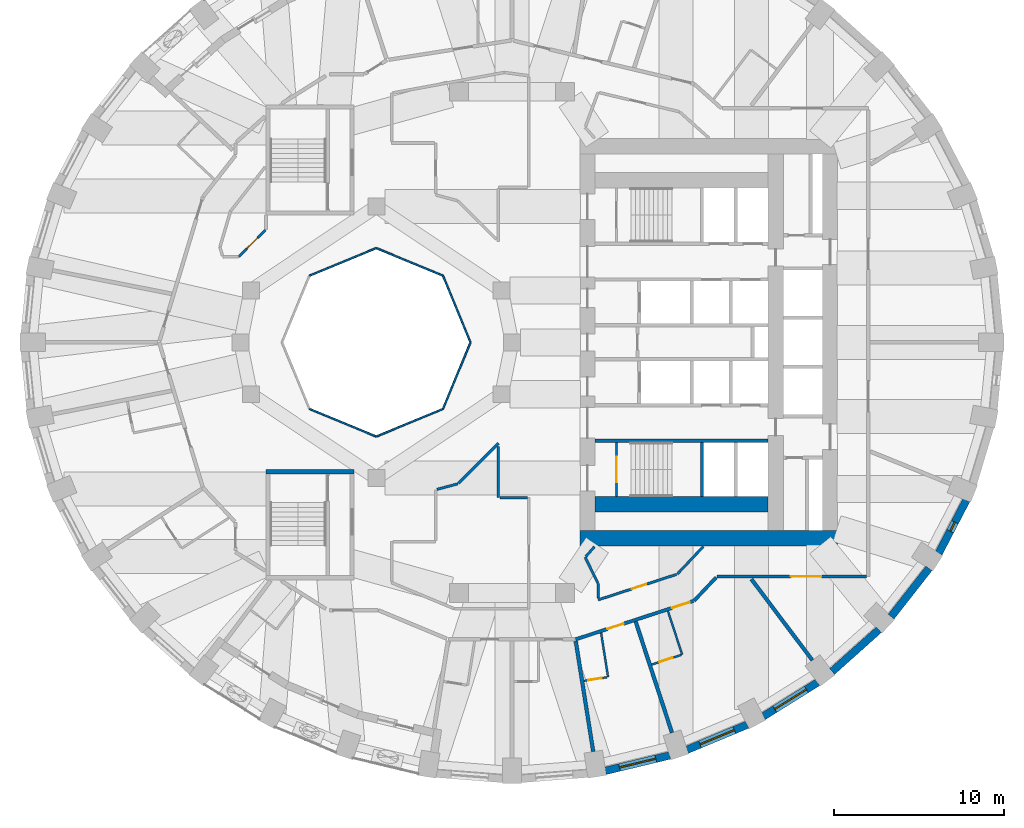
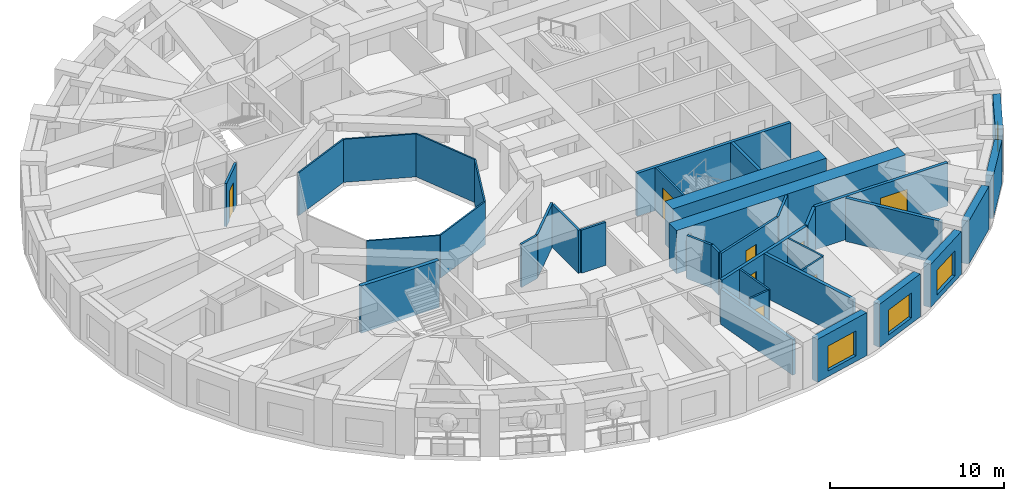
# One storey, part 5 of 13: 38 walls, 8 doors, 4 windows, 12 openings.
"""IFC4 building model written with IfcOpenShell, lengths in metres."""

from ifc_helpers import new_model, si_unit, direction, frame, frame_2d, origin, place, context, subcontext, project, spatial, rectangle, extrude, material, layer, layer_set, type_object, element, fill, save


model = new_model("IFC4")

# Units and contexts
model_context = context("Model", 3, precision=1e-05, world=origin(), true_north=direction((0.0, 1.0)))
body_context = subcontext(model_context, "Body", "Model", "MODEL_VIEW")
ifc_project = project(units=[si_unit("LENGTHUNIT", "METRE"), si_unit("AREAUNIT", "SQUARE_METRE"), si_unit("VOLUMEUNIT", "CUBIC_METRE"), si_unit("PLANEANGLEUNIT", "RADIAN"), si_unit("MASSUNIT", "GRAM", prefix="KILO")], contexts=[model_context])

# Site, building, storey
site_placement = place(None, origin())
site = spatial("IfcSite", under=ifc_project, at=site_placement, CompositionType="ELEMENT")
building_placement = place(site_placement, origin())
building = spatial("IfcBuilding", under=site, at=building_placement, Name="Taillehof Tower", CompositionType="ELEMENT")
storey_placement = place(building_placement, frame((0.0, 0.0, 44.800048828125)))
storey = spatial("IfcBuildingStorey", under=building, at=storey_placement, Name="L11", CompositionType="ELEMENT", Elevation=44.800048828125)

# Walls
ifc_material_1 = material(Name="Fire-resisting glass in steel frame", Category="steel")
ifc_layer_1 = layer(ifc_material_1, 0.10009765625)
ifc_layer_set_1 = layer_set([ifc_layer_1], Name="Atrium fire-resisting screen EI 60 100")
wall_type_1 = type_object("IfcWallType", Name="Atrium fire-resisting screen EI 60 100", PredefinedType="PARTITIONING", material=ifc_layer_set_1)
for number, where, z_axis, x_axis, name in (
    (1, (-2.44580078125, 0.0, 0.0), (0.0, 0.0, 1.0), (-0.382730523909, -0.923860025149, 0.0), "Atrium screen"),
    (2, (-4.07275390625, -3.92724609375, 0.0), (0.0, 0.0, 1.0), (-0.923860025149, -0.382730523909, 0.0), "Atrium screen"),
    (3, (-8.0, -5.55419921875, 0.0), (0.0, 0.0, 1.0), (-0.923860025149, 0.382730523909, 0.0), "Atrium screen"),
    (4, (-11.92724609375, 3.92724609375, 0.0), (0.0, 0.0, 1.0), (0.923860025149, 0.382730523909, 0.0), "Atrium screen"),
    (5, (-8.0, 5.55419921875, 0.0), (0.0, 0.0, 1.0), (0.923860025149, -0.382730523909, 0.0), "Atrium screen"),
    (6, (-4.07275390625, 3.92724609375, 0.0), (0.0, 0.0, 1.0), (0.382730523909, -0.923860025149, 0.0), "Atrium screen"),
):
    element("IfcWall", number, at=place(storey_placement, frame(where, z_axis=z_axis, x_axis=x_axis)), inside=storey, type_object=wall_type_1, Name=name, PredefinedType="PARTITIONING", context=body_context, shape_type="SweptSolid", body=[
        extrude(rectangle(XDim=4.2509765625, YDim=0.10009765625, at=frame_2d((2.12548828125, 0.0))), origin(), (0.0, 0.0, 1.0), 3.02001953125),
    ])

# Wall, opening, window
ifc_material_2 = material(Name="Brick masonry", Category="masonry")
ifc_layer_2 = layer(ifc_material_2, 0.449951171875)
ifc_layer_set_2 = layer_set([ifc_layer_2], Name="Brick infill wall 450")
wall_type_2 = type_object("IfcWallType", Name="Brick infill wall 450", PredefinedType="SOLIDWALL", material=ifc_layer_set_2)
wall_1_placement = place(storey_placement, frame((5.50439453125, -25.260498046875, 0.0), z_axis=(0.0, 0.0, 1.0), x_axis=(0.972496561493, 0.232917233979, 0.0)))
wall_1 = element("IfcWall", 7, at=wall_1_placement, inside=storey, type_object=wall_type_2, Name="Brick wall L11 bay 29", PredefinedType="SOLIDWALL", context=body_context, shape_type="SweptSolid", body=[
    extrude(rectangle(XDim=3.910888671875, YDim=0.449951171875, at=frame_2d((1.95556640625, 0.0))), origin(), (0.0, 0.0, 1.0), 3.02001953125),
])
opening_1_placement = place(wall_1_placement, frame((0.855224609375, 0.0, 0.39990234375)))
opening_1 = element("IfcOpeningElement", 8, at=opening_1_placement, cuts=wall_1, Name="Opening W1", PredefinedType="OPENING", context=body_context, shape_type="SweptSolid", body=[
    extrude(rectangle(XDim=2.199951171875, YDim=1.75, at=frame_2d((1.10009765625, 0.875))), frame((0.0, 0.23486328125, 0.0), z_axis=(0.0, -1.0, 0.0), x_axis=(1.0, 0.0, 0.0)), (0.0, 0.0, 1.0), 0.469970703125),
])
ifc_material_3 = material(Name="Aluminium window frame with clear double glazing", Category="aluminium")
window_type_1 = type_object("IfcWindowType", Name="Deep-set window 2200x1750", PartitioningType="SINGLE_PANEL", PredefinedType="WINDOW", material=ifc_material_3)
window_1_placement = place(opening_1_placement, origin())
window_1 = element("IfcWindow", 9, at=window_1_placement, inside=storey, type_object=window_type_1, Name="W1", OverallHeight=1.75, OverallWidth=2.199951171875, PartitioningType="SINGLE_PANEL", PredefinedType="WINDOW", context=body_context, shape_type="SweptSolid", body=[
    extrude(rectangle(XDim=2.199951171875, YDim=1.75, at=frame_2d((1.10009765625, 0.875))), frame((0.0, 0.034912109375, 0.0), z_axis=(0.0, -1.0, 0.0), x_axis=(1.0, 0.0, 0.0)), (0.0, 0.0, 1.0), 0.06005859375),
])
fill(opening_1, window_1)

wall_2_placement = place(storey_placement, frame((10.3154296875, -24.02099609375, 0.0), z_axis=(0.0, 0.0, 1.0), x_axis=(0.923031964282, 0.384723267966, 0.0)))
wall_2 = element("IfcWall", 10, at=wall_2_placement, inside=storey, type_object=wall_type_2, Name="Brick wall L11 bay 30", PredefinedType="SOLIDWALL", context=body_context, shape_type="SweptSolid", body=[
    extrude(rectangle(XDim=3.8564453125, YDim=0.449951171875, at=frame_2d((1.92822265625, 0.0))), origin(), (0.0, 0.0, 1.0), 3.02001953125),
])
opening_2_placement = place(wall_2_placement, frame((0.828125, 0.0, 0.39990234375)))
opening_2 = element("IfcOpeningElement", 11, at=opening_2_placement, cuts=wall_2, Name="Opening W1", PredefinedType="OPENING", context=body_context, shape_type="SweptSolid", body=[
    extrude(rectangle(XDim=2.199951171875, YDim=1.75, at=frame_2d((1.10009765625, 0.875))), frame((0.0, 0.23486328125, 0.0), z_axis=(0.0, -1.0, 0.0), x_axis=(1.0, 0.0, 0.0)), (0.0, 0.0, 1.0), 0.469970703125),
])
window_2_placement = place(opening_2_placement, origin())
window_2 = element("IfcWindow", 12, at=window_2_placement, inside=storey, type_object=window_type_1, Name="W1", OverallHeight=1.75, OverallWidth=2.199951171875, PartitioningType="SINGLE_PANEL", PredefinedType="WINDOW", context=body_context, shape_type="SweptSolid", body=[
    extrude(rectangle(XDim=2.199951171875, YDim=1.75, at=frame_2d((1.10009765625, 0.875))), frame((0.0, 0.034912109375, 0.0), z_axis=(0.0, -1.0, 0.0), x_axis=(1.0, 0.0, 0.0)), (0.0, 0.0, 1.0), 0.06005859375),
])
fill(opening_2, window_2)

wall_3_placement = place(storey_placement, frame((14.81689453125, -22.050537109375, 0.0), z_axis=(0.0, 0.0, 1.0), x_axis=(0.847635480093, 0.530579016629, 0.0)))
wall_3 = element("IfcWall", 13, at=wall_3_placement, inside=storey, type_object=wall_type_2, Name="Brick wall L11 bay 31", PredefinedType="SOLIDWALL", context=body_context, shape_type="SweptSolid", body=[
    extrude(rectangle(XDim=3.782470703125, YDim=0.449951171875, at=frame_2d((1.89111328125, 0.0))), origin(), (0.0, 0.0, 1.0), 3.02001953125),
])
opening_3_placement = place(wall_3_placement, frame((0.791259765625, 0.0, 0.39990234375)))
opening_3 = element("IfcOpeningElement", 14, at=opening_3_placement, cuts=wall_3, Name="Opening W1", PredefinedType="OPENING", context=body_context, shape_type="SweptSolid", body=[
    extrude(rectangle(XDim=2.199951171875, YDim=1.75, at=frame_2d((1.10009765625, 0.875))), frame((0.0, 0.23486328125, 0.0), z_axis=(0.0, -1.0, 0.0), x_axis=(1.0, 0.0, 0.0)), (0.0, 0.0, 1.0), 0.469970703125),
])
window_3_placement = place(opening_3_placement, origin())
window_3 = element("IfcWindow", 15, at=window_3_placement, inside=storey, type_object=window_type_1, Name="W1", OverallHeight=1.75, OverallWidth=2.199951171875, PartitioningType="SINGLE_PANEL", PredefinedType="WINDOW", context=body_context, shape_type="SweptSolid", body=[
    extrude(rectangle(XDim=2.199951171875, YDim=1.75, at=frame_2d((1.10009765625, 0.875))), frame((0.0, 0.034912109375, 0.0), z_axis=(0.0, -1.0, 0.0), x_axis=(1.0, 0.0, 0.0)), (0.0, 0.0, 1.0), 0.06005859375),
])
fill(opening_3, window_3)

# Walls
wall_4_placement = place(storey_placement, frame((18.87060546875, -19.406982421875, 0.0), z_axis=(0.0, 0.0, 1.0), x_axis=(0.745526233716, 0.66647628228, 0.0)))
element("IfcWall", 16, at=wall_4_placement, inside=storey, type_object=wall_type_2, Name="Brick wall L11 bay 32", PredefinedType="SOLIDWALL", context=body_context, shape_type="SweptSolid", body=[
    extrude(rectangle(XDim=3.69677734375, YDim=0.449951171875, at=frame_2d((1.848388671875, 0.0))), origin(), (0.0, 0.0, 1.0), 3.02001953125),
])
wall_5_placement = place(storey_placement, frame((22.3515625, -16.169677734375, 0.0), z_axis=(0.0, 0.0, 1.0), x_axis=(0.616661975264, 0.787228053529, 0.0)))
element("IfcWall", 17, at=wall_5_placement, inside=storey, type_object=wall_type_2, Name="Brick wall L11 bay 33", PredefinedType="SOLIDWALL", context=body_context, shape_type="SweptSolid", body=[
    extrude(rectangle(XDim=3.60986328125, YDim=0.449951171875, at=frame_2d((1.804931640625, 0.0))), origin(), (0.0, 0.0, 1.0), 3.02001953125),
])

# Wall, opening, window
wall_6_placement = place(storey_placement, frame((25.152099609375, -12.436767578125, 0.0), z_axis=(0.0, 0.0, 1.0), x_axis=(0.462492775226, 0.886623050041, 0.0)))
wall_6 = element("IfcWall", 18, at=wall_6_placement, inside=storey, type_object=wall_type_2, Name="Brick wall L11 bay 34", PredefinedType="SOLIDWALL", context=body_context, shape_type="SweptSolid", body=[
    extrude(rectangle(XDim=3.531982421875, YDim=0.449951171875, at=frame_2d((1.76611328125, 0.0))), origin(), (0.0, 0.0, 1.0), 3.02001953125),
])
opening_4_placement = place(wall_6_placement, frame((1.466064453125, 0.0, 0.39990234375)))
opening_4 = element("IfcOpeningElement", 19, at=opening_4_placement, cuts=wall_6, Name="Opening W6", PredefinedType="OPENING", context=body_context, shape_type="SweptSolid", body=[
    extrude(rectangle(XDim=0.60009765625, YDim=1.75, at=frame_2d((0.300048828125, 0.875))), frame((0.0, 0.23486328125, 0.0), z_axis=(0.0, -1.0, 0.0), x_axis=(1.0, 0.0, 0.0)), (0.0, 0.0, 1.0), 0.469970703125),
])
ifc_material_4 = material(Name="Aluminium window frame with clear double glazing", Category="aluminium")
window_type_2 = type_object("IfcWindowType", Name="Slot window 600x1750", PartitioningType="SINGLE_PANEL", PredefinedType="WINDOW", material=ifc_material_4)
window_4_placement = place(opening_4_placement, origin())
window_4 = element("IfcWindow", 20, at=window_4_placement, inside=storey, type_object=window_type_2, Name="W6", OverallHeight=1.75, OverallWidth=0.60009765625, PartitioningType="SINGLE_PANEL", PredefinedType="WINDOW", context=body_context, shape_type="SweptSolid", body=[
    extrude(rectangle(XDim=0.60009765625, YDim=1.75, at=frame_2d((0.300048828125, 0.875))), frame((0.0, 0.034912109375, 0.0), z_axis=(0.0, -1.0, 0.0), x_axis=(1.0, 0.0, 0.0)), (0.0, 0.0, 1.0), 0.06005859375),
])
fill(opening_4, window_4)

# Wall, opening, door
ifc_material_5 = material(Name="Gypsum board on steel studs, two layers each side", Category="steel")
ifc_layer_3 = layer(ifc_material_5, 0.199951171875)
ifc_layer_set_3 = layer_set([ifc_layer_3], Name="Compartment wall corridor 200")
wall_type_3 = type_object("IfcWallType", Name="Compartment wall corridor 200", PredefinedType="PARTITIONING", material=ifc_layer_set_3)
wall_7_placement = place(storey_placement, frame((20.89990234375, -13.800048828125, 0.0), z_axis=(0.0, 0.0, 1.0), x_axis=(-1.0, 0.0, 0.0)))
wall_7 = element("IfcWall", 21, at=wall_7_placement, inside=storey, type_object=wall_type_3, Name="Compartment wall", PredefinedType="PARTITIONING", context=body_context, shape_type="SweptSolid", body=[
    extrude(rectangle(XDim=8.8115234375, YDim=0.199951171875, at=frame_2d((4.40576171875, 0.0))), origin(), (0.0, 0.0, 1.0), 3.02001953125),
])
opening_5_placement = place(wall_7_placement, frame((2.66357421875, 0.0, 0.0)))
opening_5 = element("IfcOpeningElement", 22, at=opening_5_placement, cuts=wall_7, Name="Opening D1166", PredefinedType="OPENING", context=body_context, shape_type="SweptSolid", body=[
    extrude(rectangle(XDim=1.800048828125, YDim=2.10009765625, at=frame_2d((0.89990234375, 1.050048828125))), frame((0.0, 0.10986328125, 0.0), z_axis=(0.0, -1.0, 0.0), x_axis=(1.0, 0.0, 0.0)), (0.0, 0.0, 1.0), 0.219970703125),
])
ifc_material_6 = material(Name="Timber door leaf in steel frame", Category="steel")
door_type_1 = type_object("IfcDoorType", Name="Lounge and meeting room double door EI 30 1800 x 2100", OperationType="SINGLE_SWING_LEFT", PredefinedType="DOOR", material=ifc_material_6)
door_1_placement = place(opening_5_placement, origin())
door_1 = element("IfcDoor", 23, at=door_1_placement, inside=storey, type_object=door_type_1, Name="D1166", OperationType="DOUBLE_DOOR_SINGLE_SWING", OverallHeight=2.10009765625, OverallWidth=1.800048828125, PredefinedType="DOOR", context=body_context, shape_type="SweptSolid", body=[
    extrude(rectangle(XDim=1.800048828125, YDim=2.10009765625, at=frame_2d((0.89990234375, 1.050048828125))), frame((0.0, 0.02490234375, 0.0), z_axis=(0.0, -1.0, 0.0), x_axis=(1.0, 0.0, 0.0)), (0.0, 0.0, 1.0), 0.050048828125),
])
fill(opening_5, door_1)

# Wall
wall_8_placement = place(storey_placement, frame((12.03369140625, -13.857666015625, 0.0), z_axis=(0.0, 0.0, 1.0), x_axis=(-0.687458821662, -0.726223359938, 0.0)))
element("IfcWall", 24, at=wall_8_placement, inside=storey, type_object=wall_type_3, Name="Compartment wall", PredefinedType="PARTITIONING", context=body_context, shape_type="SweptSolid", body=[
    extrude(rectangle(XDim=1.895751953125, YDim=0.199951171875, at=frame_2d((0.94775390625, 0.0))), origin(), (0.0, 0.0, 1.0), 3.02001953125),
])

# Wall, openings, doors
wall_9_placement = place(storey_placement, frame((10.6923828125, -15.24658203125, 0.0), z_axis=(0.0, 0.0, 1.0), x_axis=(-0.950852414815, -0.309644449718, 0.0)))
wall_9 = element("IfcWall", 25, at=wall_9_placement, inside=storey, type_object=wall_type_3, Name="Compartment wall", PredefinedType="PARTITIONING", context=body_context, shape_type="SweptSolid", body=[
    extrude(rectangle(XDim=7.295654296875, YDim=0.199951171875, at=frame_2d((3.64794921875, 0.0))), origin(), (0.0, 0.0, 1.0), 3.02001953125),
])
opening_6_placement = place(wall_9_placement, frame((4.326904296875, 0.0, 0.0)))
opening_6 = element("IfcOpeningElement", 26, at=opening_6_placement, cuts=wall_9, Name="Opening D1162", PredefinedType="OPENING", context=body_context, shape_type="SweptSolid", body=[
    extrude(rectangle(XDim=1.0, YDim=2.10009765625, at=frame_2d((0.5, 1.050048828125))), frame((0.0, 0.10986328125, 0.0), z_axis=(0.0, -1.0, 0.0), x_axis=(1.0, 0.0, 0.0)), (0.0, 0.0, 1.0), 0.219970703125),
])
opening_7_placement = place(wall_9_placement, frame((0.219970703125, 0.0, 0.0)))
opening_7 = element("IfcOpeningElement", 27, at=opening_7_placement, cuts=wall_9, Name="Opening D1164", PredefinedType="OPENING", context=body_context, shape_type="SweptSolid", body=[
    extrude(rectangle(XDim=1.10009765625, YDim=2.10009765625, at=frame_2d((0.550048828125, 1.050048828125))), frame((0.0, 0.10986328125, 0.0), z_axis=(0.0, -1.0, 0.0), x_axis=(1.0, 0.0, 0.0)), (0.0, 0.0, 1.0), 0.219970703125),
])
ifc_material_7 = material(Name="Timber door leaf in steel frame", Category="steel")
door_type_2 = type_object("IfcDoorType", Name="Guest room door EI 30 1000 x 2100", OperationType="SINGLE_SWING_LEFT", PredefinedType="DOOR", material=ifc_material_7)
door_2_placement = place(opening_6_placement, origin())
door_2 = element("IfcDoor", 28, at=door_2_placement, inside=storey, type_object=door_type_2, Name="D1162", OperationType="SINGLE_SWING_RIGHT", OverallHeight=2.10009765625, OverallWidth=1.0, PredefinedType="DOOR", context=body_context, shape_type="SweptSolid", body=[
    extrude(rectangle(XDim=1.0, YDim=2.10009765625, at=frame_2d((0.5, 1.050048828125))), frame((0.0, 0.02490234375, 0.0), z_axis=(0.0, -1.0, 0.0), x_axis=(1.0, 0.0, 0.0)), (0.0, 0.0, 1.0), 0.050048828125),
])
fill(opening_6, door_2)
ifc_material_8 = material(Name="Timber door leaf in steel frame", Category="steel")
door_type_3 = type_object("IfcDoorType", Name="Suite entrance door EI 30 1100 x 2100", OperationType="SINGLE_SWING_LEFT", PredefinedType="DOOR", material=ifc_material_8)
door_3_placement = place(opening_7_placement, origin())
door_3 = element("IfcDoor", 29, at=door_3_placement, inside=storey, type_object=door_type_3, Name="D1164", OperationType="SINGLE_SWING_RIGHT", OverallHeight=2.10009765625, OverallWidth=1.10009765625, PredefinedType="DOOR", context=body_context, shape_type="SweptSolid", body=[
    extrude(rectangle(XDim=1.10009765625, YDim=2.10009765625, at=frame_2d((0.550048828125, 1.050048828125))), frame((0.0, 0.02490234375, 0.0), z_axis=(0.0, -1.0, 0.0), x_axis=(1.0, 0.0, 0.0)), (0.0, 0.0, 1.0), 0.050048828125),
])
fill(opening_7, door_3)

# Walls
ifc_material_9 = material(Name="Gypsum board on double steel studs with mineral wool", Category="steel")
ifc_layer_4 = layer(ifc_material_9, 0.219970703125)
ifc_layer_set_4 = layer_set([ifc_layer_4], Name="Compartment wall guest room 220")
wall_type_4 = type_object("IfcWallType", Name="Compartment wall guest room 220", PredefinedType="PARTITIONING", material=ifc_layer_set_4)
wall_10_placement = place(storey_placement, frame((4.788330078125, -24.12548828125, 0.0), z_axis=(0.0, 0.0, 1.0), x_axis=(-0.156122228938, 0.987737743347, 0.0)))
element("IfcWall", 30, at=wall_10_placement, inside=storey, type_object=wall_type_4, Name="Compartment wall", PredefinedType="PARTITIONING", context=body_context, shape_type="SweptSolid", body=[
    extrude(rectangle(XDim=6.595947265625, YDim=0.219970703125, at=frame_2d((3.2978515625, 0.0))), origin(), (0.0, 0.0, 1.0), 2.469970703125),
])
wall_11_placement = place(storey_placement, frame((9.429443359375, -23.01416015625, 0.0), z_axis=(0.0, 0.0, 1.0), x_axis=(-0.310230029144, 0.950661521793, 0.0)))
element("IfcWall", 31, at=wall_11_placement, inside=storey, type_object=wall_type_4, Name="Compartment wall", PredefinedType="PARTITIONING", context=body_context, shape_type="SweptSolid", body=[
    extrude(rectangle(XDim=6.89453125, YDim=0.219970703125, at=frame_2d((3.447265625, 0.0))), origin(), (0.0, 0.0, 1.0), 3.02001953125),
])
wall_12_placement = place(storey_placement, frame((17.707763671875, -18.7431640625, 0.0), z_axis=(0.0, 0.0, 1.0), x_axis=(-0.601181461694, 0.799112539081, 0.0)))
element("IfcWall", 32, at=wall_12_placement, inside=storey, type_object=wall_type_4, Name="Compartment wall", PredefinedType="PARTITIONING", context=body_context, shape_type="SweptSolid", body=[
    extrude(rectangle(XDim=5.98095703125, YDim=0.219970703125, at=frame_2d((2.990478515625, 0.0))), origin(), (0.0, 0.0, 1.0), 3.02001953125),
])

# Wall, opening, door
ifc_material_10 = material(Name="Gypsum board on steel studs, two layers each side", Category="steel")
ifc_layer_5 = layer(ifc_material_10, 0.14990234375)
ifc_layer_set_5 = layer_set([ifc_layer_5], Name="Compartment wall service room 150")
wall_type_5 = type_object("IfcWallType", Name="Compartment wall service room 150", PredefinedType="PARTITIONING", material=ifc_layer_set_5)
wall_13_placement = place(storey_placement, frame((-14.54248046875, 6.609619140625, 0.0), z_axis=(0.0, 0.0, 1.0), x_axis=(-0.707106781187, -0.707106781187, 0.0)))
wall_13 = element("IfcWall", 33, at=wall_13_placement, inside=storey, type_object=wall_type_5, Name="Compartment wall", PredefinedType="PARTITIONING", context=body_context, shape_type="SweptSolid", body=[
    extrude(rectangle(XDim=2.194580078125, YDim=0.14990234375, at=frame_2d((1.09716796875, 0.0))), origin(), (0.0, 0.0, 1.0), 3.02001953125),
])
opening_8_placement = place(wall_13_placement, frame((0.647216796875, 0.0, 0.0)))
opening_8 = element("IfcOpeningElement", 34, at=opening_8_placement, cuts=wall_13, Name="Opening D1172", PredefinedType="OPENING", context=body_context, shape_type="SweptSolid", body=[
    extrude(rectangle(XDim=0.89990234375, YDim=2.10009765625, at=frame_2d((0.449951171875, 1.050048828125))), frame((0.0, 0.0849609375, 0.0), z_axis=(0.0, -1.0, 0.0), x_axis=(1.0, 0.0, 0.0)), (0.0, 0.0, 1.0), 0.169921875),
])
ifc_material_11 = material(Name="Timber door leaf in steel frame", Category="steel")
door_type_4 = type_object("IfcDoorType", Name="Service room door EI 30 900 x 2100", OperationType="SINGLE_SWING_LEFT", PredefinedType="DOOR", material=ifc_material_11)
door_4_placement = place(opening_8_placement, origin())
door_4 = element("IfcDoor", 35, at=door_4_placement, inside=storey, type_object=door_type_4, Name="D1172", OperationType="SINGLE_SWING_RIGHT", OverallHeight=2.10009765625, OverallWidth=0.89990234375, PredefinedType="DOOR", context=body_context, shape_type="SweptSolid", body=[
    extrude(rectangle(XDim=0.89990234375, YDim=2.10009765625, at=frame_2d((0.449951171875, 1.050048828125))), frame((0.0, 0.02490234375, 0.0), z_axis=(0.0, -1.0, 0.0), x_axis=(1.0, 0.0, 0.0)), (0.0, 0.0, 1.0), 0.050048828125),
])
fill(opening_8, door_4)

# Walls
wall_14_placement = place(storey_placement, frame((-4.4228515625, -8.669677734375, 0.0), z_axis=(0.0, 0.0, 1.0), x_axis=(0.965898680525, 0.258920333232, 0.0)))
element("IfcWall", 36, at=wall_14_placement, inside=storey, type_object=wall_type_5, Name="Compartment wall", PredefinedType="PARTITIONING", context=body_context, shape_type="SweptSolid", body=[
    extrude(rectangle(XDim=1.280517578125, YDim=0.14990234375, at=frame_2d((0.64013671875, 0.0))), origin(), (0.0, 0.0, 1.0), 3.02001953125),
])
wall_15_placement = place(storey_placement, frame((-3.15771484375, -8.309814453125, 0.0), z_axis=(0.0, 0.0, 1.0), x_axis=(0.707106781187, 0.707106781187, 0.0)))
element("IfcWall", 37, at=wall_15_placement, inside=storey, type_object=wall_type_5, Name="Compartment wall", PredefinedType="PARTITIONING", context=body_context, shape_type="SweptSolid", body=[
    extrude(rectangle(XDim=3.334228515625, YDim=0.14990234375, at=frame_2d((1.6669921875, 0.0))), origin(), (0.0, 0.0, 1.0), 3.02001953125),
])
wall_16_placement = place(storey_placement, frame((-0.800048828125, -6.13232421875, 0.0), z_axis=(0.0, 0.0, 1.0), x_axis=(0.0, -1.0, 0.0)))
element("IfcWall", 38, at=wall_16_placement, inside=storey, type_object=wall_type_5, Name="Compartment wall", PredefinedType="PARTITIONING", context=body_context, shape_type="SweptSolid", body=[
    extrude(rectangle(XDim=3.017578125, YDim=0.14990234375, at=frame_2d((1.5087890625, 0.0))), origin(), (0.0, 0.0, 1.0), 3.02001953125),
])
wall_17_placement = place(storey_placement, frame((-0.719970703125, -9.14990234375, 0.0), z_axis=(0.0, 0.0, 1.0), x_axis=(1.0, 0.0, 0.0)))
element("IfcWall", 39, at=wall_17_placement, inside=storey, type_object=wall_type_5, Name="Compartment wall", PredefinedType="PARTITIONING", context=body_context, shape_type="SweptSolid", body=[
    extrude(rectangle(XDim=1.639892578125, YDim=0.14990234375, at=frame_2d((0.81982421875, 0.0))), origin(), (0.0, 0.0, 1.0), 3.02001953125),
])
wall_18_placement = place(storey_placement, frame((11.273193359375, -12.042724609375, 0.0), z_axis=(0.0, 0.0, 1.0), x_axis=(-0.687435283659, -0.7262456408, 0.0)))
element("IfcWall", 40, at=wall_18_placement, inside=storey, type_object=wall_type_5, Name="Compartment wall", PredefinedType="PARTITIONING", context=body_context, shape_type="SweptSolid", body=[
    extrude(rectangle(XDim=2.233154296875, YDim=0.14990234375, at=frame_2d((1.11669921875, 0.0))), origin(), (0.0, 0.0, 1.0), 3.02001953125),
])

# Wall, opening, door
wall_19_placement = place(storey_placement, frame((9.699951171875, -13.6767578125, 0.0), z_axis=(0.0, 0.0, 1.0), x_axis=(-0.950854246358, -0.309638825381, 0.0)))
wall_19 = element("IfcWall", 41, at=wall_19_placement, inside=storey, type_object=wall_type_5, Name="Compartment wall", PredefinedType="PARTITIONING", context=body_context, shape_type="SweptSolid", body=[
    extrude(rectangle(XDim=4.86328125, YDim=0.14990234375, at=frame_2d((2.431640625, 0.0))), origin(), (0.0, 0.0, 1.0), 3.02001953125),
])
opening_9_placement = place(wall_19_placement, frame((1.8779296875, 0.0, 0.0)))
opening_9 = element("IfcOpeningElement", 42, at=opening_9_placement, cuts=wall_19, Name="Opening D1174", PredefinedType="OPENING", context=body_context, shape_type="SweptSolid", body=[
    extrude(rectangle(XDim=0.89990234375, YDim=2.10009765625, at=frame_2d((0.449951171875, 1.050048828125))), frame((0.0, 0.0849609375, 0.0), z_axis=(0.0, -1.0, 0.0), x_axis=(1.0, 0.0, 0.0)), (0.0, 0.0, 1.0), 0.169921875),
])
door_5_placement = place(opening_9_placement, origin())
door_5 = element("IfcDoor", 43, at=door_5_placement, inside=storey, type_object=door_type_4, Name="D1174", OperationType="SINGLE_SWING_RIGHT", OverallHeight=2.10009765625, OverallWidth=0.89990234375, PredefinedType="DOOR", context=body_context, shape_type="SweptSolid", body=[
    extrude(rectangle(XDim=0.89990234375, YDim=2.10009765625, at=frame_2d((0.449951171875, 1.050048828125))), frame((0.0, 0.02490234375, 0.0), z_axis=(0.0, -1.0, 0.0), x_axis=(1.0, 0.0, 0.0)), (0.0, 0.0, 1.0), 0.050048828125),
])
fill(opening_9, door_5)

# Walls
wall_20_placement = place(storey_placement, frame((5.07568359375, -15.08251953125, 0.0), z_axis=(0.0, 0.0, 1.0), x_axis=(0.0, 1.0, 0.0)))
element("IfcWall", 44, at=wall_20_placement, inside=storey, type_object=wall_type_5, Name="Compartment wall", PredefinedType="PARTITIONING", context=body_context, shape_type="SweptSolid", body=[
    extrude(rectangle(XDim=0.8603515625, YDim=0.14990234375, at=frame_2d((0.43017578125, 0.0))), origin(), (0.0, 0.0, 1.0), 3.02001953125),
])
wall_21_placement = place(storey_placement, frame((5.05810546875, -14.18603515625, 0.0), z_axis=(0.0, 0.0, 1.0), x_axis=(-0.440556792244, 0.897724742228, 0.0)))
element("IfcWall", 45, at=wall_21_placement, inside=storey, type_object=wall_type_5, Name="Compartment wall", PredefinedType="PARTITIONING", context=body_context, shape_type="SweptSolid", body=[
    extrude(rectangle(XDim=1.690185546875, YDim=0.14990234375, at=frame_2d((0.84521484375, 0.0))), origin(), (0.0, 0.0, 1.0), 3.02001953125),
])
wall_22_placement = place(storey_placement, frame((4.35302734375, -12.623291015625, 0.0), z_axis=(0.0, 0.0, 1.0), x_axis=(0.660265480509, 0.751032286422, 0.0)))
element("IfcWall", 46, at=wall_22_placement, inside=storey, type_object=wall_type_5, Name="Compartment wall", PredefinedType="PARTITIONING", context=body_context, shape_type="SweptSolid", body=[
    extrude(rectangle(XDim=0.774658203125, YDim=0.14990234375, at=frame_2d((0.38720703125, 0.0))), origin(), (0.0, 0.0, 1.0), 2.570068359375),
])
ifc_material_12 = material(Name="Concrete C80/95", Category="concrete")
ifc_layer_6 = layer(ifc_material_12, 0.89990234375)
ifc_layer_set_6 = layer_set([ifc_layer_6], Name="Core wall C80/95 900")
wall_type_6 = type_object("IfcWallType", Name="Core wall C80/95 900", PredefinedType="SHEAR", material=ifc_layer_set_6)
wall_23_placement = place(storey_placement, frame((4.0, -11.550048828125, 0.0), z_axis=(0.0, 0.0, 1.0), x_axis=(1.0, 0.0, 0.0)))
element("IfcWall", 47, at=wall_23_placement, inside=storey, type_object=wall_type_6, Name="Core wall CW04", PredefinedType="SHEAR", context=body_context, shape_type="SweptSolid", body=[
    extrude(rectangle(XDim=15.199951171875, YDim=0.89990234375, at=frame_2d((7.60009765625, 0.0))), origin(), (0.0, 0.0, 1.0), 3.02001953125),
])
wall_24_placement = place(storey_placement, frame((4.89990234375, -9.550048828125, 0.0), z_axis=(0.0, 0.0, 1.0), x_axis=(1.0, 0.0, 0.0)))
element("IfcWall", 48, at=wall_24_placement, inside=storey, type_object=wall_type_6, Name="Core wall CW07", PredefinedType="SHEAR", context=body_context, shape_type="SweptSolid", body=[
    extrude(rectangle(XDim=10.2001953125, YDim=0.89990234375, at=frame_2d((5.10009765625, 0.0))), origin(), (0.0, 0.0, 1.0), 3.02001953125),
])
ifc_material_13 = material(Name="Gypsum board on steel studs, moisture resistant", Category="steel")
ifc_layer_7 = layer(ifc_material_13, 0.1201171875)
ifc_layer_set_7 = layer_set([ifc_layer_7], Name="En-suite wall 120")
wall_type_7 = type_object("IfcWallType", Name="En-suite wall 120", PredefinedType="PARTITIONING", material=ifc_layer_set_7)
wall_25_placement = place(storey_placement, frame((5.2509765625, -17.123779296875, 0.0), z_axis=(0.0, 0.0, 1.0), x_axis=(0.156104955519, -0.987740473435, 0.0)))
element("IfcWall", 49, at=wall_25_placement, inside=storey, type_object=wall_type_7, Name="En-suite wall", PredefinedType="PARTITIONING", context=body_context, shape_type="SweptSolid", body=[
    extrude(rectangle(XDim=2.6416015625, YDim=0.1201171875, at=frame_2d((1.32080078125, 0.0))), origin(), (0.0, 0.0, 1.0), 3.02001953125),
])
wall_26_placement = place(storey_placement, frame((9.192138671875, -15.84033203125, 0.0), z_axis=(0.0, 0.0, 1.0), x_axis=(0.310278328391, -0.950645758909, 0.0)))
element("IfcWall", 50, at=wall_26_placement, inside=storey, type_object=wall_type_7, Name="En-suite wall", PredefinedType="PARTITIONING", context=body_context, shape_type="SweptSolid", body=[
    extrude(rectangle(XDim=2.698974609375, YDim=0.1201171875, at=frame_2d((1.349609375, 0.0))), origin(), (0.0, 0.0, 1.0), 3.02001953125),
])

# Wall, opening, door
wall_27_placement = place(storey_placement, frame((5.60400390625, -19.7421875, 0.0), z_axis=(0.0, 0.0, 1.0), x_axis=(-0.987722767831, -0.156216945011, 0.0)))
wall_27 = element("IfcWall", 51, at=wall_27_placement, inside=storey, type_object=wall_type_7, Name="En-suite wall", PredefinedType="PARTITIONING", context=body_context, shape_type="SweptSolid", body=[
    extrude(rectangle(XDim=1.3798828125, YDim=0.1201171875, at=frame_2d((0.68994140625, 0.0))), origin(), (0.0, 0.0, 1.0), 3.02001953125),
])
opening_10_placement = place(wall_27_placement, frame((0.31494140625, 0.0, 0.0)))
opening_10 = element("IfcOpeningElement", 52, at=opening_10_placement, cuts=wall_27, Name="Opening D1163", PredefinedType="OPENING", context=body_context, shape_type="SweptSolid", body=[
    extrude(rectangle(XDim=0.800048828125, YDim=2.10009765625, at=frame_2d((0.39990234375, 1.050048828125))), frame((0.0, 0.070068359375, 0.0), z_axis=(0.0, -1.0, 0.0), x_axis=(1.0, 0.0, 0.0)), (0.0, 0.0, 1.0), 0.14013671875),
])
ifc_material_14 = material(Name="Timber door leaf in steel frame", Category="steel")
door_type_5 = type_object("IfcDoorType", Name="En-suite door 800 x 2100", OperationType="SINGLE_SWING_LEFT", PredefinedType="DOOR", material=ifc_material_14)
door_6_placement = place(opening_10_placement, origin())
door_6 = element("IfcDoor", 53, at=door_6_placement, inside=storey, type_object=door_type_5, Name="D1163", OperationType="SINGLE_SWING_RIGHT", OverallHeight=2.10009765625, OverallWidth=0.800048828125, PredefinedType="DOOR", context=body_context, shape_type="SweptSolid", body=[
    extrude(rectangle(XDim=0.800048828125, YDim=2.10009765625, at=frame_2d((0.39990234375, 1.050048828125))), frame((0.0, 0.02490234375, 0.0), z_axis=(0.0, -1.0, 0.0), x_axis=(1.0, 0.0, 0.0)), (0.0, 0.0, 1.0), 0.050048828125),
])
fill(opening_10, door_6)

wall_28_placement = place(storey_placement, frame((9.972412109375, -18.424560546875, 0.0), z_axis=(0.0, 0.0, 1.0), x_axis=(-0.950678536911, -0.31017788357, 0.0)))
wall_28 = element("IfcWall", 54, at=wall_28_placement, inside=storey, type_object=wall_type_7, Name="En-suite wall", PredefinedType="PARTITIONING", context=body_context, shape_type="SweptSolid", body=[
    extrude(rectangle(XDim=1.830078125, YDim=0.1201171875, at=frame_2d((0.9150390625, 0.0))), origin(), (0.0, 0.0, 1.0), 3.02001953125),
])
opening_11_placement = place(wall_28_placement, frame((0.5400390625, 0.0, 0.0)))
opening_11 = element("IfcOpeningElement", 55, at=opening_11_placement, cuts=wall_28, Name="Opening D1165", PredefinedType="OPENING", context=body_context, shape_type="SweptSolid", body=[
    extrude(rectangle(XDim=0.800048828125, YDim=2.10009765625, at=frame_2d((0.39990234375, 1.050048828125))), frame((0.0, 0.070068359375, 0.0), z_axis=(0.0, -1.0, 0.0), x_axis=(1.0, 0.0, 0.0)), (0.0, 0.0, 1.0), 0.14013671875),
])
door_7_placement = place(opening_11_placement, origin())
door_7 = element("IfcDoor", 56, at=door_7_placement, inside=storey, type_object=door_type_5, Name="D1165", OperationType="SINGLE_SWING_RIGHT", OverallHeight=2.10009765625, OverallWidth=0.800048828125, PredefinedType="DOOR", context=body_context, shape_type="SweptSolid", body=[
    extrude(rectangle(XDim=0.800048828125, YDim=2.10009765625, at=frame_2d((0.39990234375, 1.050048828125))), frame((0.0, 0.02490234375, 0.0), z_axis=(0.0, -1.0, 0.0), x_axis=(1.0, 0.0, 0.0)), (0.0, 0.0, 1.0), 0.050048828125),
])
fill(opening_11, door_7)

# Walls
ifc_material_15 = material(Name="Concrete C50/60", Category="concrete")
ifc_layer_8 = layer(ifc_material_15, 0.199951171875)
ifc_layer_set_8 = layer_set([ifc_layer_8], Name="Shaft wall C50/60 200")
wall_type_8 = type_object("IfcWallType", Name="Shaft wall C50/60 200", PredefinedType="SHEAR", material=ifc_layer_set_8)
wall_29_placement = place(storey_placement, frame((4.89990234375, -5.800048828125, 0.0), z_axis=(0.0, 0.0, 1.0), x_axis=(1.0, 0.0, 0.0)))
element("IfcWall", 57, at=wall_29_placement, inside=storey, type_object=wall_type_8, Name="Shaft wall SW", PredefinedType="SHEAR", context=body_context, shape_type="SweptSolid", body=[
    extrude(rectangle(XDim=10.2001953125, YDim=0.199951171875, at=frame_2d((5.10009765625, 0.0))), origin(), (0.0, 0.0, 1.0), 3.02001953125),
])
wall_30_placement = place(storey_placement, frame((11.199951171875, -9.10009765625, 0.0), z_axis=(0.0, 0.0, 1.0), x_axis=(0.0, 1.0, 0.0)))
element("IfcWall", 58, at=wall_30_placement, inside=storey, type_object=wall_type_8, Name="Shaft wall SW", PredefinedType="SHEAR", context=body_context, shape_type="SweptSolid", body=[
    extrude(rectangle(XDim=3.2001953125, YDim=0.199951171875, at=frame_2d((1.60009765625, 0.0))), origin(), (0.0, 0.0, 1.0), 3.02001953125),
])

# Wall, opening, door
ifc_material_16 = material(Name="Concrete C50/60", Category="concrete")
ifc_layer_9 = layer(ifc_material_16, 0.1201171875)
ifc_layer_set_9 = layer_set([ifc_layer_9], Name="Stair lobby wall C50/60 120")
wall_type_9 = type_object("IfcWallType", Name="Stair lobby wall C50/60 120", PredefinedType="SHEAR", material=ifc_layer_set_9)
wall_31_placement = place(storey_placement, frame((6.159912109375, -9.10009765625, 0.0), z_axis=(0.0, 0.0, 1.0), x_axis=(0.0, 1.0, 0.0)))
wall_31 = element("IfcWall", 59, at=wall_31_placement, inside=storey, type_object=wall_type_9, Name="Compartment wall SW", PredefinedType="SHEAR", context=body_context, shape_type="SweptSolid", body=[
    extrude(rectangle(XDim=3.2001953125, YDim=0.1201171875, at=frame_2d((1.60009765625, 0.0))), origin(), (0.0, 0.0, 1.0), 3.02001953125),
])
opening_12_placement = place(wall_31_placement, frame((0.85009765625, 0.0, 0.0)))
opening_12 = element("IfcOpeningElement", 60, at=opening_12_placement, cuts=wall_31, Name="Opening D1111", PredefinedType="OPENING", context=body_context, shape_type="SweptSolid", body=[
    extrude(rectangle(XDim=1.5, YDim=2.10009765625, at=frame_2d((0.75, 1.050048828125))), frame((0.0, 0.070068359375, 0.0), z_axis=(0.0, -1.0, 0.0), x_axis=(1.0, 0.0, 0.0)), (0.0, 0.0, 1.0), 0.14013671875),
])
ifc_material_17 = material(Name="Steel-faced fire door", Category="steel")
door_type_6 = type_object("IfcDoorType", Name="Stair door 1500x2100", OperationType="DOUBLE_DOOR_SINGLE_SWING", PredefinedType="DOOR", material=ifc_material_17)
door_8_placement = place(opening_12_placement, origin())
door_8 = element("IfcDoor", 61, at=door_8_placement, inside=storey, type_object=door_type_6, Name="Stair lobby door S2", OperationType="DOUBLE_DOOR_SINGLE_SWING", OverallHeight=2.10009765625, OverallWidth=1.5, PredefinedType="DOOR", context=body_context, shape_type="SweptSolid", body=[
    extrude(rectangle(XDim=1.5, YDim=2.10009765625, at=frame_2d((0.75, 1.050048828125))), frame((0.0, 0.02490234375, 0.0), z_axis=(0.0, -1.0, 0.0), x_axis=(1.0, 0.0, 0.0)), (0.0, 0.0, 1.0), 0.050048828125),
])
fill(opening_12, door_8)

# Wall
ifc_material_18 = material(Name="Concrete C50/60", Category="concrete")
ifc_layer_10 = layer(ifc_material_18, 0.25)
ifc_layer_set_10 = layer_set([ifc_layer_10], Name="Stair wall C50/60 250")
wall_type_10 = type_object("IfcWallType", Name="Stair wall C50/60 250", PredefinedType="SHEAR", material=ifc_layer_set_10)
wall_32_placement = place(storey_placement, frame((-14.5, -7.625, -0.280029296875), z_axis=(0.0, 0.0, 1.0), x_axis=(1.0, 0.0, 0.0)))
element("IfcWall", 62, at=wall_32_placement, inside=storey, type_object=wall_type_10, Name="Stair wall SC", PredefinedType="SHEAR", context=body_context, shape_type="SweptSolid", body=[
    extrude(rectangle(XDim=5.199951171875, YDim=0.25, at=frame_2d((2.60009765625, 0.0))), origin(), (0.0, 0.0, 1.0), 3.300048828125),
])

save(model, "model.ifc")
